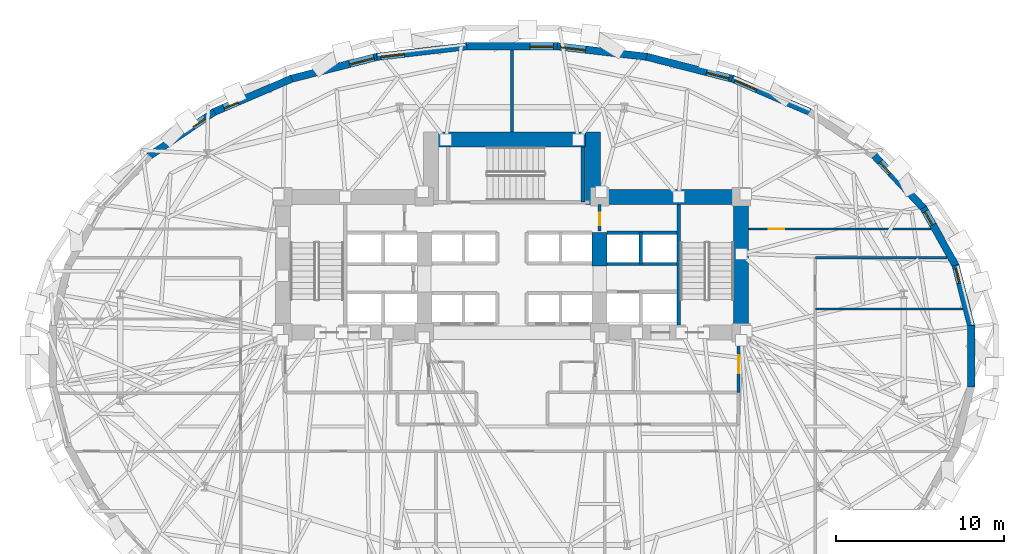
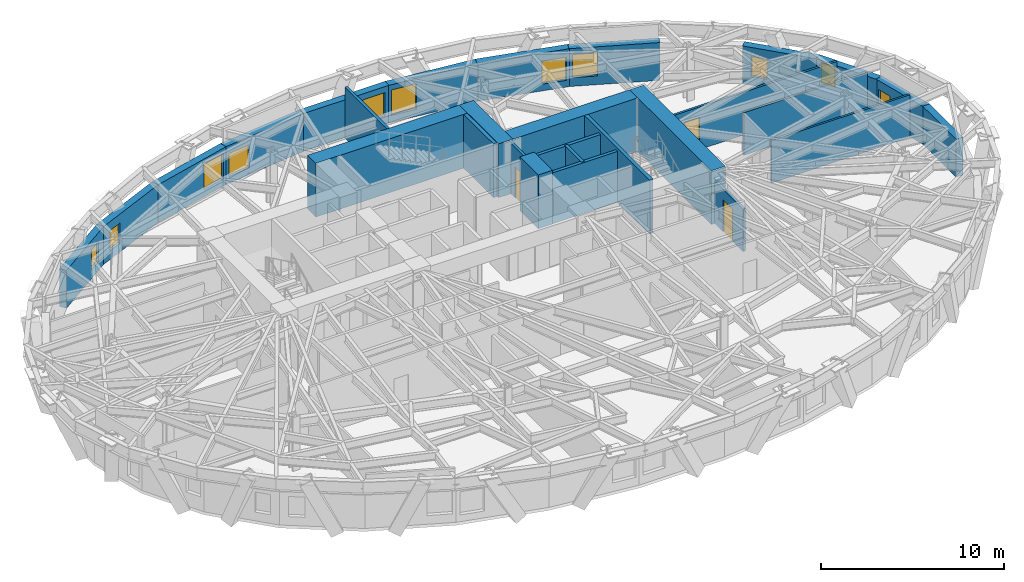
# One storey, part 9 of 14: 28 walls, 11 windows, 3 doors, 14 openings.
"""IFC4 building model written with IfcOpenShell, lengths in metres."""

from ifc_helpers import new_model, si_unit, direction, frame, frame_2d, origin, place, context, subcontext, project, spatial, rectangle, extrude, material, layer, layer_set, type_object, element, fill, save


model = new_model("IFC4")

# Units and contexts
model_context = context("Model", 3, precision=1e-05, world=origin(), true_north=direction((0.0, 1.0)))
body_context = subcontext(model_context, "Body", "Model", "MODEL_VIEW")
ifc_project = project(units=[si_unit("LENGTHUNIT", "METRE"), si_unit("AREAUNIT", "SQUARE_METRE"), si_unit("VOLUMEUNIT", "CUBIC_METRE"), si_unit("PLANEANGLEUNIT", "RADIAN"), si_unit("MASSUNIT", "GRAM", prefix="KILO")], contexts=[model_context])

# Site, building, storey
site_placement = place(None, origin())
site = spatial("IfcSite", under=ifc_project, at=site_placement, CompositionType="ELEMENT")
building_placement = place(site_placement, origin())
building = spatial("IfcBuilding", under=site, at=building_placement, Name="Keldmark Tower", CompositionType="ELEMENT")
storey_placement = place(building_placement, frame((0.0, 0.0, 52.199951171875)))
storey = spatial("IfcBuildingStorey", under=building, at=storey_placement, Name="L13", CompositionType="ELEMENT", Elevation=52.199951171875)

# Wall, opening, door
ifc_material_1 = material(Name="Acoustic Double-Layer Gypsum Corridor Partition", Category="gypsum")
ifc_layer_1 = layer(ifc_material_1, 0.139892578125)
ifc_layer_set_1 = layer_set([ifc_layer_1], Name="Acoustic Double-Layer Gypsum Corridor Partition")
wall_type_1 = type_object("IfcWallType", Name="Acoustic Corridor Partition 140 mm", PredefinedType="PARTITIONING", material=ifc_layer_set_1)
wall_1_placement = place(storey_placement, frame((14.050048828125, 7.550048828125, 0.0), z_axis=(0.0, 0.0, 1.0), x_axis=(1.0, 0.0, 0.0)))
wall_1 = element("IfcWall", 1, at=wall_1_placement, inside=storey, type_object=wall_type_1, Name="L13 Acoustic Corridor Partition 140 mm COR-EN-CAP", PredefinedType="PARTITIONING", context=body_context, shape_type="SweptSolid", body=[
    extrude(rectangle(XDim=10.805908203125, YDim=0.139892578125, at=frame_2d((5.40283203125, 0.0))), origin(), (0.0, 0.0, 1.0), 2.85302734375),
])
opening_1_placement = place(wall_1_placement, frame((1.199951171875, 0.0, 0.0)))
opening_1 = element("IfcOpeningElement", 2, at=opening_1_placement, cuts=wall_1, Name="Opening D-EX092", PredefinedType="OPENING", context=body_context, shape_type="SweptSolid", body=[
    extrude(rectangle(XDim=0.919921875, YDim=2.14990234375, at=frame_2d((0.4599609375, 1.074951171875))), frame((0.0, 0.079833984375, 0.0), z_axis=(0.0, -1.0, 0.0), x_axis=(1.0, 0.0, 0.0)), (0.0, 0.0, 1.0), 0.159912109375),
])
ifc_material_2 = material(Name="Flush American Ash Executive Office Door", Category="wood")
door_type_1 = type_object("IfcDoorType", Name="Executive Office Door 920x2150", OperationType="NOTDEFINED", PredefinedType="DOOR", material=ifc_material_2)
door_1_placement = place(opening_1_placement, origin())
door_1 = element("IfcDoor", 3, at=door_1_placement, inside=storey, type_object=door_type_1, Name="L13 Executive Office Door 920x2150 D-NRNE-L13", OperationType="SINGLE_SWING_RIGHT", OverallHeight=2.14990234375, OverallWidth=0.919921875, PredefinedType="DOOR", context=body_context, shape_type="SweptSolid", body=[
    extrude(rectangle(XDim=0.919921875, YDim=2.14990234375, at=frame_2d((0.4599609375, 1.074951171875))), frame((0.0, 0.02490234375, 0.0), z_axis=(0.0, -1.0, 0.0), x_axis=(1.0, 0.0, 0.0)), (0.0, 0.0, 1.0), 0.050048828125),
])
fill(opening_1, door_1)

# Walls
wall_2_placement = place(storey_placement, frame((18.0, 5.85009765625, 0.0), z_axis=(0.0, 0.0, 1.0), x_axis=(1.0, 0.0, 0.0)))
element("IfcWall", 4, at=wall_2_placement, inside=storey, type_object=wall_type_1, Name="L13 Acoustic Corridor Partition 140 mm COR-EA-S", PredefinedType="PARTITIONING", context=body_context, shape_type="SweptSolid", body=[
    extrude(rectangle(XDim=7.8046875, YDim=0.139892578125, at=frame_2d((3.90234375, 0.0))), origin(), (0.0, 0.0, 1.0), 2.85302734375),
])
ifc_material_3 = material(Name="STC-58 Insulated Tenant Demising Gypsum Partition", Category="gypsum")
ifc_layer_2 = layer(ifc_material_3, 0.175048828125)
ifc_layer_set_2 = layer_set([ifc_layer_2], Name="STC-58 Insulated Tenant Demising Gypsum Partition")
wall_type_2 = type_object("IfcWallType", Name="Demising Suite Partition 175 mm", PredefinedType="PARTITIONING", material=ifc_layer_set_2)
wall_3_placement = place(storey_placement, frame((0.0, 13.300048828125, 0.0), z_axis=(0.0, 0.0, 1.0), x_axis=(0.0, 1.0, 0.0)))
element("IfcWall", 5, at=wall_3_placement, inside=storey, type_object=wall_type_2, Name="L13 Demising Suite Partition 175 mm N-MID-DIV", PredefinedType="PARTITIONING", context=body_context, shape_type="SweptSolid", body=[
    extrude(rectangle(XDim=4.863037109375, YDim=0.175048828125, at=frame_2d((2.431640625, 0.0))), origin(), (0.0, 0.0, 1.0), 3.400146484375),
])
ifc_material_4 = material(Name="Acoustic Gypsum Board Interior Partition", Category="gypsum")
ifc_layer_3 = layer(ifc_material_4, 0.1298828125)
ifc_layer_set_3 = layer_set([ifc_layer_3], Name="Acoustic Gypsum Board Interior Partition")
wall_type_3 = type_object("IfcWallType", Name="Interior Partition 130 mm", PredefinedType="PARTITIONING", material=ifc_layer_set_3)
wall_4_placement = place(storey_placement, frame((18.0, 2.800048828125, 0.0), z_axis=(0.0, 0.0, 1.0), x_axis=(1.0, 0.0, 0.0)))
element("IfcWall", 6, at=wall_4_placement, inside=storey, type_object=wall_type_3, Name="L13 Interior Partition 130 mm E-DIV-1", PredefinedType="PARTITIONING", context=body_context, shape_type="SweptSolid", body=[
    extrude(rectangle(XDim=8.755859375, YDim=0.1298828125, at=frame_2d((4.3779296875, 0.0))), origin(), (0.0, 0.0, 1.0), 2.841064453125),
])
ifc_material_5 = material(Name="Concrete C70/85", Category="concrete")
ifc_layer_4 = layer(ifc_material_5, 0.89990234375)
ifc_layer_set_4 = layer_set([ifc_layer_4], Name="Concrete C70/85")
wall_type_4 = type_object("IfcWallType", Name="Lower Core Shear Wall 900 mm", PredefinedType="SHEAR", material=ifc_layer_set_4)
wall_5_placement = place(storey_placement, frame((13.60009765625, 0.949951171875, 0.0), z_axis=(0.0, 0.0, 1.0), x_axis=(0.0, 1.0, 0.0)))
element("IfcWall", 7, at=wall_5_placement, inside=storey, type_object=wall_type_4, Name="L13 East Core Outer Shear Wall", PredefinedType="SHEAR", context=body_context, shape_type="SweptSolid", body=[
    extrude(rectangle(XDim=8.949951171875, YDim=0.89990234375, at=frame_2d((4.47509765625, 0.0))), origin(), (0.0, 0.0, 1.0), 3.60009765625),
])
wall_6_placement = place(storey_placement, frame((4.35009765625, 9.449951171875, 0.0), z_axis=(0.0, 0.0, 1.0), x_axis=(1.0, 0.0, 0.0)))
element("IfcWall", 8, at=wall_6_placement, inside=storey, type_object=wall_type_4, Name="L13 East Core North Shear Wall", PredefinedType="SHEAR", context=body_context, shape_type="SweptSolid", body=[
    extrude(rectangle(XDim=9.699951171875, YDim=0.89990234375, at=frame_2d((4.85009765625, 0.0))), origin(), (0.0, 0.0, 1.0), 3.60009765625),
])
wall_7_placement = place(storey_placement, frame((5.199951171875, 5.35009765625, 0.0), z_axis=(0.0, 0.0, 1.0), x_axis=(0.0, 1.0, 0.0)))
element("IfcWall", 9, at=wall_7_placement, inside=storey, type_object=wall_type_4, Name="L13 East Core Inner Shear Pier North", PredefinedType="SHEAR", context=body_context, shape_type="SweptSolid", body=[
    extrude(rectangle(XDim=2.0, YDim=0.89990234375, at=frame_2d((1.0, 0.0))), origin(), (0.0, 0.0, 1.0), 3.60009765625),
])
wall_8_placement = place(storey_placement, frame((-5.25, 12.85009765625, 0.0), z_axis=(0.0, 0.0, 1.0), x_axis=(1.0, 0.0, 0.0)))
element("IfcWall", 10, at=wall_8_placement, inside=storey, type_object=wall_type_4, Name="L13 North Core Shear Wall", PredefinedType="SHEAR", context=body_context, shape_type="SweptSolid", body=[
    extrude(rectangle(XDim=10.5, YDim=0.89990234375, at=frame_2d((5.25, 0.0))), origin(), (0.0, 0.0, 1.0), 3.60009765625),
])
wall_9_placement = place(storey_placement, frame((4.800048828125, 9.0, 0.0), z_axis=(0.0, 0.0, 1.0), x_axis=(0.0, 1.0, 0.0)))
element("IfcWall", 11, at=wall_9_placement, inside=storey, type_object=wall_type_4, Name="L13 North Core East Shear Wall", PredefinedType="SHEAR", context=body_context, shape_type="SweptSolid", body=[
    extrude(rectangle(XDim=4.300048828125, YDim=0.89990234375, at=frame_2d((2.14990234375, 0.0))), origin(), (0.0, 0.0, 1.0), 3.60009765625),
])

# Wall, opening, door
ifc_material_6 = material(Name="Type X Fire-Rated Gypsum Partition Assembly", Category="gypsum")
ifc_layer_5 = layer(ifc_material_6, 0.1650390625)
ifc_layer_set_5 = layer_set([ifc_layer_5], Name="Type X Fire-Rated Gypsum Partition Assembly")
wall_type_5 = type_object("IfcWallType", Name="Rated Partition 165 mm", PredefinedType="PARTITIONING", material=ifc_layer_set_5)
wall_10_placement = place(storey_placement, frame((13.449951171875, -2.14990234375, 0.0), z_axis=(0.0, 0.0, 1.0), x_axis=(0.0, 1.0, 0.0)))
wall_10 = element("IfcWall", 12, at=wall_10_placement, inside=storey, type_object=wall_type_5, Name="L13 Rated Partition 165 mm FSAE-E-E", PredefinedType="PARTITIONING", context=body_context, shape_type="SweptSolid", body=[
    extrude(rectangle(XDim=3.14990234375, YDim=0.1650390625, at=frame_2d((1.574951171875, 0.0))), origin(), (0.0, 0.0, 1.0), 2.85302734375),
])
opening_2_placement = place(wall_10_placement, frame((1.14990234375, 0.0, 0.0)))
opening_2 = element("IfcOpeningElement", 13, at=opening_2_placement, cuts=wall_10, Name="Opening D-FL105", PredefinedType="OPENING", context=body_context, shape_type="SweptSolid", body=[
    extrude(rectangle(XDim=1.050048828125, YDim=2.14990234375, at=frame_2d((0.52490234375, 1.074951171875))), frame((0.0, 0.092529296875, 0.0), z_axis=(0.0, -1.0, 0.0), x_axis=(1.0, 0.0, 0.0)), (0.0, 0.0, 1.0), 0.18505859375),
])
ifc_material_7 = material(Name="Fire-Rated Mineral-Core Door and Vision Lite", Category="metal")
door_type_2 = type_object("IfcDoorType", Name="Fire Lobby Door 1050x2150", OperationType="NOTDEFINED", PredefinedType="DOOR", material=ifc_material_7)
door_2_placement = place(opening_2_placement, origin())
door_2 = element("IfcDoor", 14, at=door_2_placement, inside=storey, type_object=door_type_2, Name="L13 Fire Lobby Door 1050x2150 D-FSAEE-OUT-L13", OperationType="SINGLE_SWING_LEFT", OverallHeight=2.14990234375, OverallWidth=1.050048828125, PredefinedType="DOOR", context=body_context, shape_type="SweptSolid", body=[
    extrude(rectangle(XDim=1.050048828125, YDim=2.14990234375, at=frame_2d((0.52490234375, 1.074951171875))), frame((0.0, 0.02490234375, 0.0), z_axis=(0.0, -1.0, 0.0), x_axis=(1.0, 0.0, 0.0)), (0.0, 0.0, 1.0), 0.050048828125),
])
fill(opening_2, door_2)

wall_11_placement = place(storey_placement, frame((5.199951171875, 7.419921875, 0.0), z_axis=(0.0, 0.0, 1.0), x_axis=(0.0, 1.0, 0.0)))
wall_11 = element("IfcWall", 15, at=wall_11_placement, inside=storey, type_object=wall_type_5, Name="L13 Rated Partition 165 mm CS-NE-W", PredefinedType="PARTITIONING", context=body_context, shape_type="SweptSolid", body=[
    extrude(rectangle(XDim=1.580078125, YDim=0.1650390625, at=frame_2d((0.7900390625, 0.0))), origin(), (0.0, 0.0, 1.0), 3.400146484375),
])
opening_3_placement = place(wall_11_placement, frame((0.35009765625, 0.0, 0.0)))
opening_3 = element("IfcOpeningElement", 16, at=opening_3_placement, cuts=wall_11, Name="Opening D-RS075", PredefinedType="OPENING", context=body_context, shape_type="SweptSolid", body=[
    extrude(rectangle(XDim=0.75, YDim=2.10009765625, at=frame_2d((0.375, 1.050048828125))), frame((0.0, 0.092529296875, 0.0), z_axis=(0.0, -1.0, 0.0), x_axis=(1.0, 0.0, 0.0)), (0.0, 0.0, 1.0), 0.18505859375),
])
ifc_material_8 = material(Name="Galvanized Fire-Rated Access Leaf", Category="metal")
door_type_3 = type_object("IfcDoorType", Name="Riser Access Door 750x2100", OperationType="NOTDEFINED", PredefinedType="DOOR", material=ifc_material_8)
door_3_placement = place(opening_3_placement, origin())
door_3 = element("IfcDoor", 17, at=door_3_placement, inside=storey, type_object=door_type_3, Name="L13 Riser Access Door 750x2100 D-CSNE1-L13", OperationType="SINGLE_SWING_LEFT", OverallHeight=2.10009765625, OverallWidth=0.75, PredefinedType="DOOR", context=body_context, shape_type="SweptSolid", body=[
    extrude(rectangle(XDim=0.75, YDim=2.10009765625, at=frame_2d((0.375, 1.050048828125))), frame((0.0, 0.02490234375, 0.0), z_axis=(0.0, -1.0, 0.0), x_axis=(1.0, 0.0, 0.0)), (0.0, 0.0, 1.0), 0.050048828125),
])
fill(opening_3, door_3)

# Walls
ifc_material_9 = material(Name="Fire-Resistant Type X Gypsum Shaftliner Coreboard", Category="gypsum")
ifc_layer_6 = layer(ifc_material_9, 0.199951171875)
ifc_layer_set_6 = layer_set([ifc_layer_6], Name="Fire-Resistant Type X Gypsum Shaftliner Coreboard")
wall_type_6 = type_object("IfcWallType", Name="Shaft Wall 200 mm", PredefinedType="SOLIDWALL", material=ifc_layer_set_6)
for number, where, z_axis, x_axis, name in (
    (18, (5.64990234375, 5.469970703125, 0.0), (0.0, 0.0, 1.0), (1.0, 0.0, 0.0), "L13 Shaft Wall 200 mm HW-E-N"),
    (19, (5.64990234375, 7.330078125, 0.0), (0.0, 0.0, 1.0), (1.0, 0.0, 0.0), "L13 Shaft Wall 200 mm HW-E-TOP"),
):
    element("IfcWall", number, at=place(storey_placement, frame(where, z_axis=z_axis, x_axis=x_axis)), inside=storey, type_object=wall_type_6, Name=name, PredefinedType="SOLIDWALL", context=body_context, shape_type="SweptSolid", body=[
        extrude(rectangle(XDim=4.130126953125, YDim=0.199951171875, at=frame_2d((2.06494140625, 0.0))), origin(), (0.0, 0.0, 1.0), 3.400146484375),
    ])
wall_12_placement = place(storey_placement, frame((7.64990234375, 5.469970703125, 0.0), z_axis=(0.0, 0.0, 1.0), x_axis=(0.0, 1.0, 0.0)))
element("IfcWall", 20, at=wall_12_placement, inside=storey, type_object=wall_type_6, Name="L13 Shaft Wall 200 mm HW-E-NM", PredefinedType="SOLIDWALL", context=body_context, shape_type="SweptSolid", body=[
    extrude(rectangle(XDim=1.860107421875, YDim=0.199951171875, at=frame_2d((0.93017578125, 0.0))), origin(), (0.0, 0.0, 1.0), 3.400146484375),
])
ifc_material_10 = material(Name="Concrete C50/60", Category="concrete")
ifc_layer_7 = layer(ifc_material_10, 0.219970703125)
ifc_layer_set_7 = layer_set([ifc_layer_7], Name="Concrete C50/60")
wall_type_7 = type_object("IfcWallType", Name="Stair Core Shear Wall 220 mm", PredefinedType="SHEAR", material=ifc_layer_set_7)
wall_13_placement = place(storey_placement, frame((9.889892578125, 1.85009765625, 0.0), z_axis=(0.0, 0.0, 1.0), x_axis=(0.0, 1.0, 0.0)))
element("IfcWall", 21, at=wall_13_placement, inside=storey, type_object=wall_type_7, Name="L13 East Stair Core Shear Wall", PredefinedType="SHEAR", context=body_context, shape_type="SweptSolid", body=[
    extrude(rectangle(XDim=7.14990234375, YDim=0.219970703125, at=frame_2d((3.574951171875, 0.0))), origin(), (0.0, 0.0, 1.0), 3.60009765625),
])
wall_14_placement = place(storey_placement, frame((4.215087890625, 9.139892578125, 0.0), z_axis=(0.0, 0.0, 1.0), x_axis=(0.0, 1.0, 0.0)))
element("IfcWall", 22, at=wall_14_placement, inside=storey, type_object=wall_type_7, Name="L13 Central Stair Core East Shear Wall", PredefinedType="SHEAR", context=body_context, shape_type="SweptSolid", body=[
    extrude(rectangle(XDim=3.260009765625, YDim=0.219970703125, at=frame_2d((1.6298828125, 0.0))), origin(), (0.0, 0.0, 1.0), 3.60009765625),
])

# Wall, opening, window
ifc_material_11 = material(Name="Ironspot Manganese Brick and Kasota Buff Limestone Spandrel Assembly", Category="masonry")
ifc_layer_8 = layer(ifc_material_11, 0.43994140625)
ifc_layer_set_8 = layer_set([ifc_layer_8], Name="Ironspot Manganese Brick and Kasota Buff Limestone Spandrel Assembly")
wall_type_8 = type_object("IfcWallType", Name="Tower Brick Pier and Spandrel Wall 440 mm", PredefinedType="STANDARD", material=ifc_layer_set_8)
wall_15_placement = place(storey_placement, frame((26.3251953125, 5.400390625, 0.0), z_axis=(0.0, 0.0, 1.0), x_axis=(0.248062710061, -0.968743976434, 0.0)))
wall_15 = element("IfcWall", 23, at=wall_15_placement, inside=storey, type_object=wall_type_8, Name="L13 Exterior Brick and Spandrel Wall 01", PredefinedType="STANDARD", context=body_context, shape_type="SweptSolid", body=[
    extrude(rectangle(XDim=3.739013671875, YDim=0.43994140625, at=frame_2d((1.86962890625, 0.0))), origin(), (0.0, 0.0, 1.0), 2.532958984375),
])
opening_4_placement = place(wall_15_placement, frame((0.199951171875, 0.0, 0.580078125)))
opening_4 = element("IfcOpeningElement", 24, at=opening_4_placement, cuts=wall_15, Name="Opening W-09", PredefinedType="OPENING", context=body_context, shape_type="SweptSolid", body=[
    extrude(rectangle(XDim=0.89990234375, YDim=1.35009765625, at=frame_2d((0.449951171875, 0.675048828125))), frame((0.0, 0.22998046875, 0.0), z_axis=(0.0, -1.0, 0.0), x_axis=(1.0, 0.0, 0.0)), (0.0, 0.0, 1.0), 0.4599609375),
])
ifc_material_12 = material(Name="Thermally Broken Anodized Aluminum and Triple Low-E Argon Glazing", Category="aluminium")
window_type_1 = type_object("IfcWindowType", Name="Corner Pier Deep-Set Window 900x1350", PartitioningType="SINGLE_PANEL", PredefinedType="WINDOW", material=ifc_material_12)
window_1_placement = place(opening_4_placement, origin())
window_1 = element("IfcWindow", 25, at=window_1_placement, inside=storey, type_object=window_type_1, Name="L13 Deep-Set Window 01", OverallHeight=1.35009765625, OverallWidth=0.89990234375, PartitioningType="SINGLE_PANEL", PredefinedType="WINDOW", context=body_context, shape_type="SweptSolid", body=[
    extrude(rectangle(XDim=0.89990234375, YDim=1.35009765625, at=frame_2d((0.449951171875, 0.675048828125))), frame((0.0, -0.010009765625, 0.0), z_axis=(0.0, -1.0, 0.0), x_axis=(1.0, 0.0, 0.0)), (0.0, 0.0, 1.0), 0.06005859375),
])
fill(opening_4, window_1)

wall_16_placement = place(storey_placement, frame((24.416259765625, 8.8056640625, 0.0), z_axis=(0.0, 0.0, 1.0), x_axis=(0.487369438963, -0.873195871477, 0.0)))
wall_16 = element("IfcWall", 26, at=wall_16_placement, inside=storey, type_object=wall_type_8, Name="L13 Exterior Brick and Spandrel Wall 02", PredefinedType="STANDARD", context=body_context, shape_type="SweptSolid", body=[
    extrude(rectangle(XDim=3.9599609375, YDim=0.43994140625, at=frame_2d((1.97998046875, 0.0))), origin(), (0.0, 0.0, 1.0), 2.532958984375),
])
opening_5_placement = place(wall_16_placement, frame((0.249267578125, 0.0, 0.919921875)))
opening_5 = element("IfcOpeningElement", 27, at=opening_5_placement, cuts=wall_16, Name="Opening W-09", PredefinedType="OPENING", context=body_context, shape_type="SweptSolid", body=[
    extrude(rectangle(XDim=0.89990234375, YDim=1.35009765625, at=frame_2d((0.449951171875, 0.675048828125))), frame((0.0, 0.22998046875, 0.0), z_axis=(0.0, -1.0, 0.0), x_axis=(1.0, 0.0, 0.0)), (0.0, 0.0, 1.0), 0.4599609375),
])
window_2_placement = place(opening_5_placement, origin())
window_2 = element("IfcWindow", 28, at=window_2_placement, inside=storey, type_object=window_type_1, Name="L13 Deep-Set Window 02", OverallHeight=1.35009765625, OverallWidth=0.89990234375, PartitioningType="SINGLE_PANEL", PredefinedType="WINDOW", context=body_context, shape_type="SweptSolid", body=[
    extrude(rectangle(XDim=0.89990234375, YDim=1.35009765625, at=frame_2d((0.449951171875, 0.675048828125))), frame((0.0, -0.010009765625, 0.0), z_axis=(0.0, -1.0, 0.0), x_axis=(1.0, 0.0, 0.0)), (0.0, 0.0, 1.0), 0.06005859375),
])
fill(opening_5, window_2)

wall_17_placement = place(storey_placement, frame((21.51220703125, 11.902099609375, 0.0), z_axis=(0.0, 0.0, 1.0), x_axis=(0.68299392258, -0.730424056093, 0.0)))
wall_17 = element("IfcWall", 29, at=wall_17_placement, inside=storey, type_object=wall_type_8, Name="L13 Exterior Brick and Spandrel Wall 03", PredefinedType="STANDARD", context=body_context, shape_type="SweptSolid", body=[
    extrude(rectangle(XDim=4.298095703125, YDim=0.43994140625, at=frame_2d((2.14892578125, 0.0))), origin(), (0.0, 0.0, 1.0), 2.532958984375),
])
opening_6_placement = place(wall_17_placement, frame((0.499755859375, 0.0, 0.580078125)))
opening_6 = element("IfcOpeningElement", 30, at=opening_6_placement, cuts=wall_17, Name="Opening W-09", PredefinedType="OPENING", context=body_context, shape_type="SweptSolid", body=[
    extrude(rectangle(XDim=0.89990234375, YDim=1.35009765625, at=frame_2d((0.449951171875, 0.675048828125))), frame((0.0, 0.22998046875, 0.0), z_axis=(0.0, -1.0, 0.0), x_axis=(1.0, 0.0, 0.0)), (0.0, 0.0, 1.0), 0.4599609375),
])
window_3_placement = place(opening_6_placement, origin())
window_3 = element("IfcWindow", 31, at=window_3_placement, inside=storey, type_object=window_type_1, Name="L13 Deep-Set Window 03", OverallHeight=1.35009765625, OverallWidth=0.89990234375, PartitioningType="SINGLE_PANEL", PredefinedType="WINDOW", context=body_context, shape_type="SweptSolid", body=[
    extrude(rectangle(XDim=0.89990234375, YDim=1.35009765625, at=frame_2d((0.449951171875, 0.675048828125))), frame((0.0, -0.010009765625, 0.0), z_axis=(0.0, -1.0, 0.0), x_axis=(1.0, 0.0, 0.0)), (0.0, 0.0, 1.0), 0.06005859375),
])
fill(opening_6, window_3)

wall_18_placement = place(storey_placement, frame((13.066650390625, 16.47265625, 0.0), z_axis=(0.0, 0.0, 1.0), x_axis=(0.918881850071, -0.394532819433, 0.0)))
wall_18 = element("IfcWall", 32, at=wall_18_placement, inside=storey, type_object=wall_type_8, Name="L13 Exterior Brick and Spandrel Wall 05", PredefinedType="STANDARD", context=body_context, shape_type="SweptSolid", body=[
    extrude(rectangle(XDim=5.0419921875, YDim=0.43994140625, at=frame_2d((2.52099609375, 0.0))), origin(), (0.0, 0.0, 1.0), 2.532958984375),
])
opening_7_placement = place(wall_18_placement, frame((0.199951171875, 0.0, 0.580078125)))
opening_7 = element("IfcOpeningElement", 33, at=opening_7_placement, cuts=wall_18, Name="Opening W-08", PredefinedType="OPENING", context=body_context, shape_type="SweptSolid", body=[
    extrude(rectangle(XDim=1.39990234375, YDim=1.550048828125, at=frame_2d((0.699951171875, 0.77490234375))), frame((0.0, 0.22998046875, 0.0), z_axis=(0.0, -1.0, 0.0), x_axis=(1.0, 0.0, 0.0)), (0.0, 0.0, 1.0), 0.4599609375),
])
ifc_material_13 = material(Name="Thermally Broken Anodized Aluminum and Triple Low-E Argon Glazing", Category="aluminium")
window_type_2 = type_object("IfcWindowType", Name="Residential Corner Punched Window 1400x1550", PartitioningType="SINGLE_PANEL", PredefinedType="WINDOW", material=ifc_material_13)
window_4_placement = place(opening_7_placement, origin())
window_4 = element("IfcWindow", 34, at=window_4_placement, inside=storey, type_object=window_type_2, Name="L13 Deep-Set Window 05", OverallHeight=1.550048828125, OverallWidth=1.39990234375, PartitioningType="SINGLE_PANEL", PredefinedType="WINDOW", context=body_context, shape_type="SweptSolid", body=[
    extrude(rectangle(XDim=1.39990234375, YDim=1.550048828125, at=frame_2d((0.699951171875, 0.77490234375))), frame((0.0, -0.010009765625, 0.0), z_axis=(0.0, -1.0, 0.0), x_axis=(1.0, 0.0, 0.0)), (0.0, 0.0, 1.0), 0.06005859375),
])
fill(opening_7, window_4)

wall_19_placement = place(storey_placement, frame((7.99560546875, 17.76953125, 0.0), z_axis=(0.0, 0.0, 1.0), x_axis=(0.968705592422, -0.248212560542, 0.0)))
wall_19 = element("IfcWall", 35, at=wall_19_placement, inside=storey, type_object=wall_type_8, Name="L13 Exterior Brick and Spandrel Wall 06", PredefinedType="STANDARD", context=body_context, shape_type="SweptSolid", body=[
    extrude(rectangle(XDim=5.26806640625, YDim=0.43994140625, at=frame_2d((2.634033203125, 0.0))), origin(), (0.0, 0.0, 1.0), 2.532958984375),
])
opening_8_placement = place(wall_19_placement, frame((3.66796875, 0.0, 0.449951171875)))
opening_8 = element("IfcOpeningElement", 36, at=opening_8_placement, cuts=wall_19, Name="Opening W-08", PredefinedType="OPENING", context=body_context, shape_type="SweptSolid", body=[
    extrude(rectangle(XDim=1.39990234375, YDim=1.550048828125, at=frame_2d((0.699951171875, 0.77490234375))), frame((0.0, 0.22998046875, 0.0), z_axis=(0.0, -1.0, 0.0), x_axis=(1.0, 0.0, 0.0)), (0.0, 0.0, 1.0), 0.4599609375),
])
window_5_placement = place(opening_8_placement, origin())
window_5 = element("IfcWindow", 37, at=window_5_placement, inside=storey, type_object=window_type_2, Name="L13 Deep-Set Window 06", OverallHeight=1.550048828125, OverallWidth=1.39990234375, PartitioningType="SINGLE_PANEL", PredefinedType="WINDOW", context=body_context, shape_type="SweptSolid", body=[
    extrude(rectangle(XDim=1.39990234375, YDim=1.550048828125, at=frame_2d((0.699951171875, 0.77490234375))), frame((0.0, -0.010009765625, 0.0), z_axis=(0.0, -1.0, 0.0), x_axis=(1.0, 0.0, 0.0)), (0.0, 0.0, 1.0), 0.06005859375),
])
fill(opening_8, window_5)

wall_20_placement = place(storey_placement, frame((2.679443359375, 18.392578125, 0.0), z_axis=(0.0, 0.0, 1.0), x_axis=(0.993159890371, -0.116762289112, 0.0)))
wall_20 = element("IfcWall", 38, at=wall_20_placement, inside=storey, type_object=wall_type_8, Name="L13 Exterior Brick and Spandrel Wall 07", PredefinedType="STANDARD", context=body_context, shape_type="SweptSolid", body=[
    extrude(rectangle(XDim=5.382080078125, YDim=0.43994140625, at=frame_2d((2.69091796875, 0.0))), origin(), (0.0, 0.0, 1.0), 2.532958984375),
])
opening_9_placement = place(wall_20_placement, frame((0.199951171875, 0.0, 0.47998046875)))
opening_9 = element("IfcOpeningElement", 39, at=opening_9_placement, cuts=wall_20, Name="Opening W-03", PredefinedType="OPENING", context=body_context, shape_type="SweptSolid", body=[
    extrude(rectangle(XDim=1.5, YDim=1.699951171875, at=frame_2d((0.75, 0.85009765625))), frame((0.0, 0.22998046875, 0.0), z_axis=(0.0, -1.0, 0.0), x_axis=(1.0, 0.0, 0.0)), (0.0, 0.0, 1.0), 0.4599609375),
])
ifc_material_14 = material(Name="Thermally Broken Anodized Aluminum and Triple Low-E Argon Glazing", Category="aluminium")
window_type_3 = type_object("IfcWindowType", Name="Office Corner Deep-Set Window 1500x1700", PartitioningType="DOUBLE_PANEL_VERTICAL", PredefinedType="WINDOW", material=ifc_material_14)
window_6_placement = place(opening_9_placement, origin())
window_6 = element("IfcWindow", 40, at=window_6_placement, inside=storey, type_object=window_type_3, Name="L13 Deep-Set Window 07", OverallHeight=1.699951171875, OverallWidth=1.5, PartitioningType="SINGLE_PANEL", PredefinedType="WINDOW", context=body_context, shape_type="SweptSolid", body=[
    extrude(rectangle(XDim=1.5, YDim=1.699951171875, at=frame_2d((0.75, 0.85009765625))), frame((0.0, -0.010009765625, 0.0), z_axis=(0.0, -1.0, 0.0), x_axis=(1.0, 0.0, 0.0)), (0.0, 0.0, 1.0), 0.06005859375),
])
fill(opening_9, window_6)

wall_21_placement = place(storey_placement, frame((-2.705078125, 18.39111328125, 0.0), z_axis=(0.0, 0.0, 1.0), x_axis=(1.0, 0.0, 0.0)))
wall_21 = element("IfcWall", 41, at=wall_21_placement, inside=storey, type_object=wall_type_8, Name="L13 Exterior Brick and Spandrel Wall 08", PredefinedType="STANDARD", context=body_context, shape_type="SweptSolid", body=[
    extrude(rectangle(XDim=5.41015625, YDim=0.43994140625, at=frame_2d((2.705078125, 0.0))), origin(), (0.0, 0.0, 1.0), 2.532958984375),
])
opening_10_placement = place(wall_21_placement, frame((3.760986328125, 0.0, 0.580078125)))
opening_10 = element("IfcOpeningElement", 42, at=opening_10_placement, cuts=wall_21, Name="Opening W-08", PredefinedType="OPENING", context=body_context, shape_type="SweptSolid", body=[
    extrude(rectangle(XDim=1.39990234375, YDim=1.550048828125, at=frame_2d((0.699951171875, 0.77490234375))), frame((0.0, 0.22998046875, 0.0), z_axis=(0.0, -1.0, 0.0), x_axis=(1.0, 0.0, 0.0)), (0.0, 0.0, 1.0), 0.4599609375),
])
window_7_placement = place(opening_10_placement, origin())
window_7 = element("IfcWindow", 43, at=window_7_placement, inside=storey, type_object=window_type_2, Name="L13 Deep-Set Window 08", OverallHeight=1.550048828125, OverallWidth=1.39990234375, PartitioningType="SINGLE_PANEL", PredefinedType="WINDOW", context=body_context, shape_type="SweptSolid", body=[
    extrude(rectangle(XDim=1.39990234375, YDim=1.550048828125, at=frame_2d((0.699951171875, 0.77490234375))), frame((0.0, -0.010009765625, 0.0), z_axis=(0.0, -1.0, 0.0), x_axis=(1.0, 0.0, 0.0)), (0.0, 0.0, 1.0), 0.06005859375),
])
fill(opening_10, window_7)

wall_22_placement = place(storey_placement, frame((-8.024658203125, 17.76416015625, 0.0), z_axis=(0.0, 0.0, 1.0), x_axis=(0.993159890371, 0.116762289112, 0.0)))
wall_22 = element("IfcWall", 44, at=wall_22_placement, inside=storey, type_object=wall_type_8, Name="L13 Exterior Brick and Spandrel Wall 09", PredefinedType="STANDARD", context=body_context, shape_type="SweptSolid", body=[
    extrude(rectangle(XDim=5.382080078125, YDim=0.43994140625, at=frame_2d((2.69091796875, 0.0))), origin(), (0.0, 0.0, 1.0), 2.532958984375),
])
opening_11_placement = place(wall_22_placement, frame((0.249755859375, 0.0, 0.449951171875)))
opening_11 = element("IfcOpeningElement", 45, at=opening_11_placement, cuts=wall_22, Name="Opening W-08", PredefinedType="OPENING", context=body_context, shape_type="SweptSolid", body=[
    extrude(rectangle(XDim=1.39990234375, YDim=1.550048828125, at=frame_2d((0.699951171875, 0.77490234375))), frame((0.0, 0.22998046875, 0.0), z_axis=(0.0, -1.0, 0.0), x_axis=(1.0, 0.0, 0.0)), (0.0, 0.0, 1.0), 0.4599609375),
])
window_8_placement = place(opening_11_placement, origin())
window_8 = element("IfcWindow", 46, at=window_8_placement, inside=storey, type_object=window_type_2, Name="L13 Deep-Set Window 09", OverallHeight=1.550048828125, OverallWidth=1.39990234375, PartitioningType="SINGLE_PANEL", PredefinedType="WINDOW", context=body_context, shape_type="SweptSolid", body=[
    extrude(rectangle(XDim=1.39990234375, YDim=1.550048828125, at=frame_2d((0.699951171875, 0.77490234375))), frame((0.0, -0.010009765625, 0.0), z_axis=(0.0, -1.0, 0.0), x_axis=(1.0, 0.0, 0.0)), (0.0, 0.0, 1.0), 0.06005859375),
])
fill(opening_11, window_8)

wall_23_placement = place(storey_placement, frame((-13.098876953125, 16.4619140625, 0.0), z_axis=(0.0, 0.0, 1.0), x_axis=(0.968705592422, 0.248212560542, 0.0)))
wall_23 = element("IfcWall", 47, at=wall_23_placement, inside=storey, type_object=wall_type_8, Name="L13 Exterior Brick and Spandrel Wall 10", PredefinedType="STANDARD", context=body_context, shape_type="SweptSolid", body=[
    extrude(rectangle(XDim=5.26806640625, YDim=0.43994140625, at=frame_2d((2.634033203125, 0.0))), origin(), (0.0, 0.0, 1.0), 2.532958984375),
])
opening_12_placement = place(wall_23_placement, frame((3.568115234375, 0.0, 0.47998046875)))
opening_12 = element("IfcOpeningElement", 48, at=opening_12_placement, cuts=wall_23, Name="Opening W-03", PredefinedType="OPENING", context=body_context, shape_type="SweptSolid", body=[
    extrude(rectangle(XDim=1.5, YDim=1.699951171875, at=frame_2d((0.75, 0.85009765625))), frame((0.0, 0.22998046875, 0.0), z_axis=(0.0, -1.0, 0.0), x_axis=(1.0, 0.0, 0.0)), (0.0, 0.0, 1.0), 0.4599609375),
])
window_9_placement = place(opening_12_placement, origin())
window_9 = element("IfcWindow", 49, at=window_9_placement, inside=storey, type_object=window_type_3, Name="L13 Deep-Set Window 10", OverallHeight=1.699951171875, OverallWidth=1.5, PartitioningType="SINGLE_PANEL", PredefinedType="WINDOW", context=body_context, shape_type="SweptSolid", body=[
    extrude(rectangle(XDim=1.5, YDim=1.699951171875, at=frame_2d((0.75, 0.85009765625))), frame((0.0, -0.010009765625, 0.0), z_axis=(0.0, -1.0, 0.0), x_axis=(1.0, 0.0, 0.0)), (0.0, 0.0, 1.0), 0.06005859375),
])
fill(opening_12, window_9)

wall_24_placement = place(storey_placement, frame((-17.69970703125, 14.4833984375, 0.0), z_axis=(0.0, 0.0, 1.0), x_axis=(0.918881850071, 0.394532819433, 0.0)))
wall_24 = element("IfcWall", 50, at=wall_24_placement, inside=storey, type_object=wall_type_8, Name="L13 Exterior Brick and Spandrel Wall 11", PredefinedType="STANDARD", context=body_context, shape_type="SweptSolid", body=[
    extrude(rectangle(XDim=5.0419921875, YDim=0.43994140625, at=frame_2d((2.52099609375, 0.0))), origin(), (0.0, 0.0, 1.0), 2.532958984375),
])
opening_13_placement = place(wall_24_placement, frame((0.64892578125, 0.0, 0.580078125)))
opening_13 = element("IfcOpeningElement", 51, at=opening_13_placement, cuts=wall_24, Name="Opening W-09", PredefinedType="OPENING", context=body_context, shape_type="SweptSolid", body=[
    extrude(rectangle(XDim=0.89990234375, YDim=1.35009765625, at=frame_2d((0.449951171875, 0.675048828125))), frame((0.0, 0.22998046875, 0.0), z_axis=(0.0, -1.0, 0.0), x_axis=(1.0, 0.0, 0.0)), (0.0, 0.0, 1.0), 0.4599609375),
])
window_10_placement = place(opening_13_placement, origin())
window_10 = element("IfcWindow", 52, at=window_10_placement, inside=storey, type_object=window_type_1, Name="L13 Deep-Set Window 11", OverallHeight=1.35009765625, OverallWidth=0.89990234375, PartitioningType="SINGLE_PANEL", PredefinedType="WINDOW", context=body_context, shape_type="SweptSolid", body=[
    extrude(rectangle(XDim=0.89990234375, YDim=1.35009765625, at=frame_2d((0.449951171875, 0.675048828125))), frame((0.0, -0.010009765625, 0.0), z_axis=(0.0, -1.0, 0.0), x_axis=(1.0, 0.0, 0.0)), (0.0, 0.0, 1.0), 0.06005859375),
])
fill(opening_13, window_10)

wall_25_placement = place(storey_placement, frame((-21.54931640625, 11.8701171875, 0.0), z_axis=(0.0, 0.0, 1.0), x_axis=(0.827825981515, 0.560984976919, 0.0)))
wall_25 = element("IfcWall", 53, at=wall_25_placement, inside=storey, type_object=wall_type_8, Name="L13 Exterior Brick and Spandrel Wall 12", PredefinedType="STANDARD", context=body_context, shape_type="SweptSolid", body=[
    extrude(rectangle(XDim=4.694580078125, YDim=0.43994140625, at=frame_2d((2.34716796875, 0.0))), origin(), (0.0, 0.0, 1.0), 2.532958984375),
])
opening_14_placement = place(wall_25_placement, frame((3.145263671875, 0.0, 0.580078125)))
opening_14 = element("IfcOpeningElement", 54, at=opening_14_placement, cuts=wall_25, Name="Opening W-09", PredefinedType="OPENING", context=body_context, shape_type="SweptSolid", body=[
    extrude(rectangle(XDim=0.89990234375, YDim=1.35009765625, at=frame_2d((0.449951171875, 0.675048828125))), frame((0.0, 0.22998046875, 0.0), z_axis=(0.0, -1.0, 0.0), x_axis=(1.0, 0.0, 0.0)), (0.0, 0.0, 1.0), 0.4599609375),
])
window_11_placement = place(opening_14_placement, origin())
window_11 = element("IfcWindow", 55, at=window_11_placement, inside=storey, type_object=window_type_1, Name="L13 Deep-Set Window 12", OverallHeight=1.35009765625, OverallWidth=0.89990234375, PartitioningType="SINGLE_PANEL", PredefinedType="WINDOW", context=body_context, shape_type="SweptSolid", body=[
    extrude(rectangle(XDim=0.89990234375, YDim=1.35009765625, at=frame_2d((0.449951171875, 0.675048828125))), frame((0.0, -0.010009765625, 0.0), z_axis=(0.0, -1.0, 0.0), x_axis=(1.0, 0.0, 0.0)), (0.0, 0.0, 1.0), 0.06005859375),
])
fill(opening_14, window_11)

# Wall
wall_26_placement = place(storey_placement, frame((27.245849609375, 1.8330078125, 0.0), z_axis=(0.0, 0.0, 1.0), x_axis=(0.0, -1.0, 0.0)))
element("IfcWall", 56, at=wall_26_placement, inside=storey, type_object=wall_type_8, Name="L13 Exterior Brick and Spandrel Wall 32", PredefinedType="STANDARD", context=body_context, shape_type="SweptSolid", body=[
    extrude(rectangle(XDim=3.666015625, YDim=0.43994140625, at=frame_2d((1.8330078125, 0.0))), origin(), (0.0, 0.0, 1.0), 2.532958984375),
])

save(model, "model.ifc")
